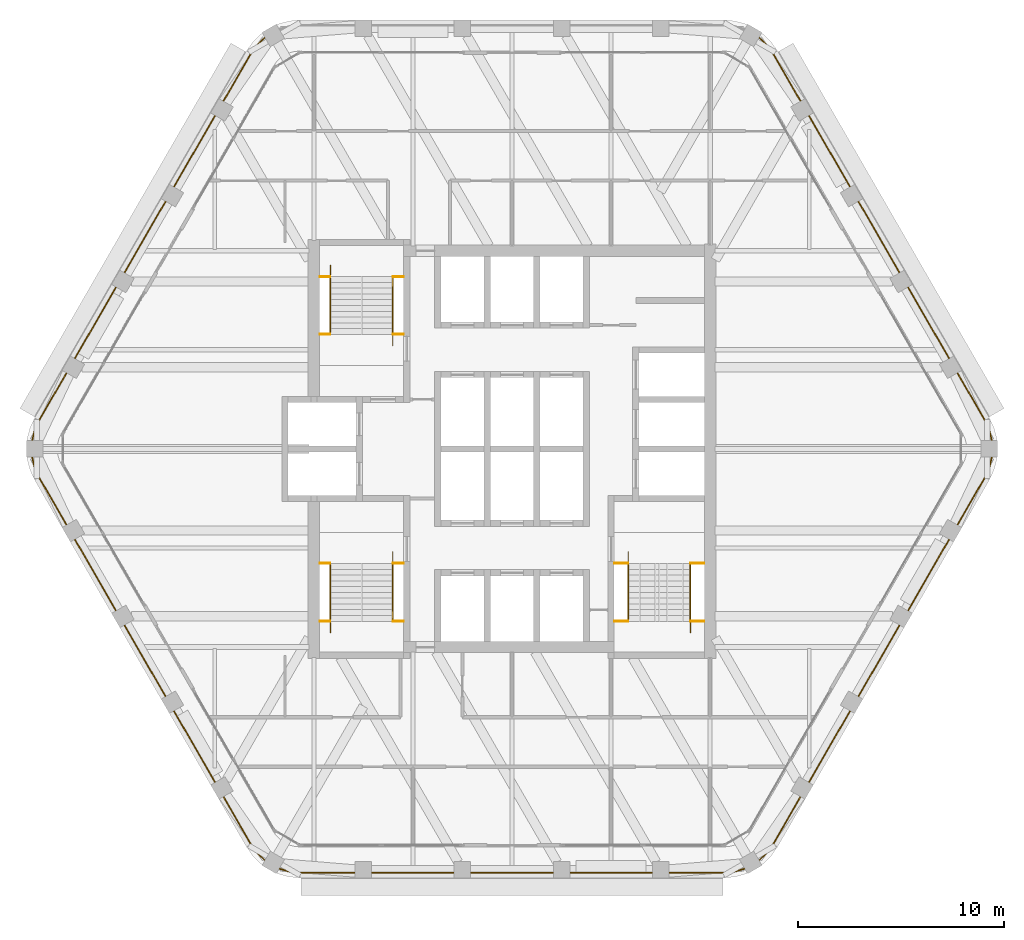
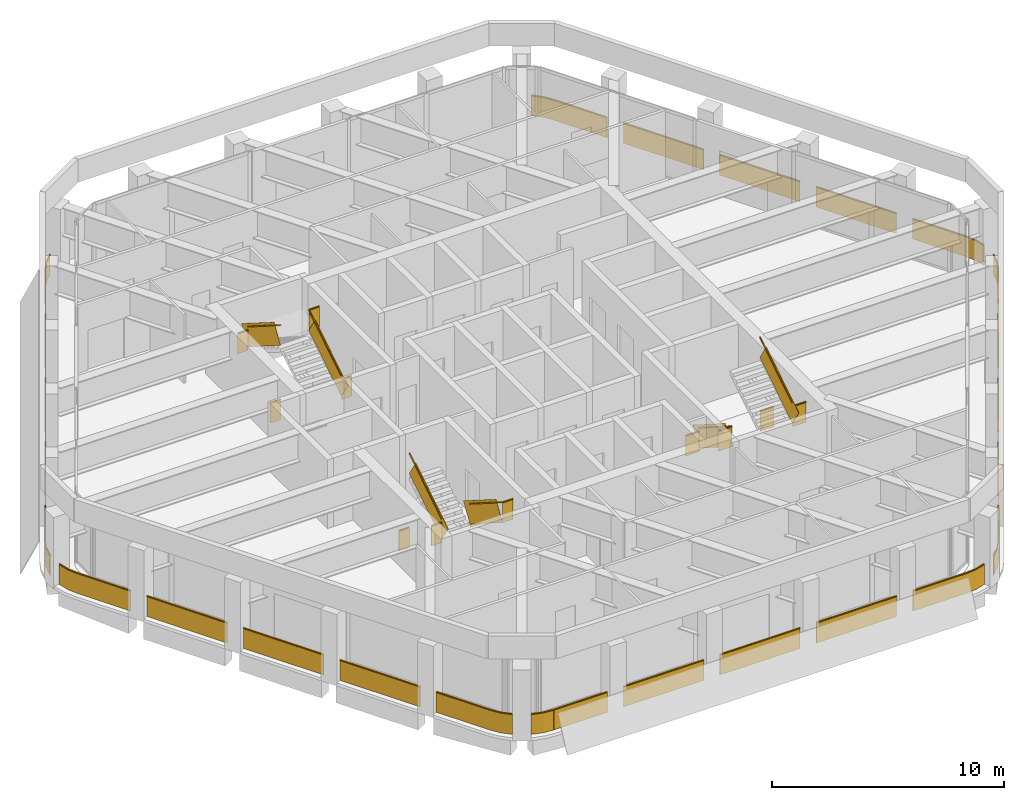
# One storey, part 13 of 14: 11 railings.
"""IFC4 building model written with IfcOpenShell, lengths in metres."""

from ifc_helpers import new_model, si_unit, direction, frame, frame_2d, origin, origin_2d, place, context, subcontext, project, spatial, rectangle, extrude, material, type_object, element, save


model = new_model("IFC4")

# Units and contexts
model_context = context("Model", 3, precision=1e-05, world=origin(), true_north=direction((0.0, 1.0)))
body_context = subcontext(model_context, "Body", "Model", "MODEL_VIEW")
ifc_project = project(units=[si_unit("LENGTHUNIT", "METRE"), si_unit("AREAUNIT", "SQUARE_METRE"), si_unit("VOLUMEUNIT", "CUBIC_METRE"), si_unit("PLANEANGLEUNIT", "RADIAN"), si_unit("MASSUNIT", "GRAM", prefix="KILO")], contexts=[model_context])

# Site, building, storey
site_placement = place(None, origin())
site = spatial("IfcSite", under=ifc_project, at=site_placement, CompositionType="ELEMENT")
building_placement = place(site_placement, origin())
building = spatial("IfcBuilding", under=site, at=building_placement, Name="Kolab Exchange Tower", CompositionType="ELEMENT")
storey_placement = place(building_placement, frame((0.0, 0.0, 293.0)))
storey = spatial("IfcBuildingStorey", under=building, at=storey_placement, Name="L66", CompositionType="ELEMENT", Elevation=293.0)

# Railings
ifc_material_1 = material(Name="Stainless steel 316", Category="steel")
railing_type_1 = type_object("IfcRailingType", Name="GUARD 1100", PredefinedType="GUARDRAIL", material=ifc_material_1)
railing_1_placement = place(storey_placement, frame((-9.324951171875, 5.550048828125, 0.0)))
element("IfcRailing", 1, at=railing_1_placement, inside=storey, type_object=railing_type_1, Name="Guard ST1", PredefinedType="GUARDRAIL", context=body_context, shape_type="SweptSolid", body=[
    extrude(rectangle(XDim=0.05, YDim=0.05, at=origin_2d()), frame((0.0, 0.0, 1.0751953125), z_axis=(1.0, 0.0, 0.0), x_axis=(0.0, 1.0, 0.0)), (0.0, 0.0, 1.0), 0.52734375),
    extrude(rectangle(XDim=0.012, YDim=1.05009765625, at=frame_2d((0.0, 0.525146484375))), frame((0.0, 0.0, 0.0), z_axis=(1.0, 0.0, 0.0), x_axis=(0.0, 1.0, 0.0)), (0.0, 0.0, 1.0), 0.52734375),
    extrude(rectangle(XDim=0.05, YDim=0.05, at=origin_2d()), frame((3.54736328125, 0.0, 1.0751953125), z_axis=(1.0, 0.0, 0.0), x_axis=(0.0, 1.0, 0.0)), (0.0, 0.0, 1.0), 0.527587890625),
    extrude(rectangle(XDim=0.012, YDim=1.05009765625, at=frame_2d((0.0, 0.525146484375))), frame((3.54736328125, 0.0, 0.0), z_axis=(1.0, 0.0, 0.0), x_axis=(0.0, 1.0, 0.0)), (0.0, 0.0, 1.0), 0.527587890625),
    extrude(rectangle(XDim=0.05, YDim=0.05, at=origin_2d()), frame((0.0, 2.800048828125, 3.025146484375), z_axis=(1.0, 0.0, 0.0), x_axis=(0.0, 1.0, 0.0)), (0.0, 0.0, 1.0), 0.52734375),
    extrude(rectangle(XDim=0.012, YDim=1.05009765625, at=frame_2d((0.0, 0.525146484375))), frame((0.0, 2.800048828125, 1.949951171875), z_axis=(1.0, 0.0, 0.0), x_axis=(0.0, 1.0, 0.0)), (0.0, 0.0, 1.0), 0.52734375),
    extrude(rectangle(XDim=0.05, YDim=0.05, at=origin_2d()), frame((3.54736328125, 2.800048828125, 3.025146484375), z_axis=(1.0, 0.0, 0.0), x_axis=(0.0, 1.0, 0.0)), (0.0, 0.0, 1.0), 0.527587890625),
    extrude(rectangle(XDim=0.012, YDim=1.05009765625, at=frame_2d((0.0, 0.525146484375))), frame((3.54736328125, 2.800048828125, 1.949951171875), z_axis=(1.0, 0.0, 0.0), x_axis=(0.0, 1.0, 0.0)), (0.0, 0.0, 1.0), 0.527587890625),
])
railing_2_placement = place(storey_placement, frame((-5.777587890625, 5.550048828125, 0.17724609375)))
element("IfcRailing", 2, at=railing_2_placement, inside=storey, type_object=railing_type_1, Name="Handrail guard ST1", PredefinedType="GUARDRAIL", context=body_context, shape_type="SweptSolid", body=[
    extrude(rectangle(XDim=0.05, YDim=0.05, at=origin_2d()), frame((0.0, 0.0, 1.0751953125), z_axis=(0.0, 0.844908973607, 0.534910110503), x_axis=(-1.0, 0.0, 0.0)), (0.0, 0.0, 1.0), 3.31396484375),
    extrude(rectangle(XDim=0.012, YDim=1.05009765625, at=frame_2d((0.0, 0.525146484375))), frame((0.0, 0.0, 0.0), z_axis=(0.0, 0.844908973607, 0.534910110503), x_axis=(-1.0, 0.0, 0.0)), (0.0, 0.0, 1.0), 3.31396484375),
    extrude(rectangle(XDim=0.05, YDim=0.05, at=origin_2d()), frame((-3.02001953125, 2.800048828125, 3.025146484375), z_axis=(0.0, -0.844908973607, 0.534910110503), x_axis=(1.0, 0.0, 0.0)), (0.0, 0.0, 1.0), 3.31396484375),
    extrude(rectangle(XDim=0.012, YDim=1.05009765625, at=frame_2d((0.0, 0.525146484375))), frame((-3.02001953125, 2.800048828125, 1.949951171875), z_axis=(0.0, -0.844908973607, 0.534910110503), x_axis=(1.0, 0.0, 0.0)), (0.0, 0.0, 1.0), 3.31396484375),
])
railing_3_placement = place(storey_placement, frame((-9.324951171875, -5.550048828125, 0.0)))
element("IfcRailing", 3, at=railing_3_placement, inside=storey, type_object=railing_type_1, Name="Guard ST3", PredefinedType="GUARDRAIL", context=body_context, shape_type="SweptSolid", body=[
    extrude(rectangle(XDim=0.05, YDim=0.05, at=origin_2d()), frame((0.0, 0.0, 1.0751953125), z_axis=(1.0, 0.0, 0.0), x_axis=(0.0, 1.0, 0.0)), (0.0, 0.0, 1.0), 0.52734375),
    extrude(rectangle(XDim=0.012, YDim=1.05009765625, at=frame_2d((0.0, 0.525146484375))), frame((0.0, 0.0, 0.0), z_axis=(1.0, 0.0, 0.0), x_axis=(0.0, 1.0, 0.0)), (0.0, 0.0, 1.0), 0.52734375),
    extrude(rectangle(XDim=0.05, YDim=0.05, at=origin_2d()), frame((3.54736328125, 0.0, 1.0751953125), z_axis=(1.0, 0.0, 0.0), x_axis=(0.0, 1.0, 0.0)), (0.0, 0.0, 1.0), 0.527587890625),
    extrude(rectangle(XDim=0.012, YDim=1.05009765625, at=frame_2d((0.0, 0.525146484375))), frame((3.54736328125, 0.0, 0.0), z_axis=(1.0, 0.0, 0.0), x_axis=(0.0, 1.0, 0.0)), (0.0, 0.0, 1.0), 0.527587890625),
    extrude(rectangle(XDim=0.05, YDim=0.05, at=origin_2d()), frame((0.0, -2.800048828125, 3.025146484375), z_axis=(1.0, 0.0, 0.0), x_axis=(0.0, 1.0, 0.0)), (0.0, 0.0, 1.0), 0.52734375),
    extrude(rectangle(XDim=0.012, YDim=1.05009765625, at=frame_2d((0.0, 0.525146484375))), frame((0.0, -2.800048828125, 1.949951171875), z_axis=(1.0, 0.0, 0.0), x_axis=(0.0, 1.0, 0.0)), (0.0, 0.0, 1.0), 0.52734375),
    extrude(rectangle(XDim=0.05, YDim=0.05, at=origin_2d()), frame((3.54736328125, -2.800048828125, 3.025146484375), z_axis=(1.0, 0.0, 0.0), x_axis=(0.0, 1.0, 0.0)), (0.0, 0.0, 1.0), 0.527587890625),
    extrude(rectangle(XDim=0.012, YDim=1.05009765625, at=frame_2d((0.0, 0.525146484375))), frame((3.54736328125, -2.800048828125, 1.949951171875), z_axis=(1.0, 0.0, 0.0), x_axis=(0.0, 1.0, 0.0)), (0.0, 0.0, 1.0), 0.527587890625),
])
railing_4_placement = place(storey_placement, frame((-5.777587890625, -5.550048828125, 0.17724609375)))
element("IfcRailing", 4, at=railing_4_placement, inside=storey, type_object=railing_type_1, Name="Handrail guard ST3", PredefinedType="GUARDRAIL", context=body_context, shape_type="SweptSolid", body=[
    extrude(rectangle(XDim=0.05, YDim=0.05, at=origin_2d()), frame((0.0, 0.0, 1.0751953125), z_axis=(0.0, -0.844908973607, 0.534910110503), x_axis=(1.0, 0.0, 0.0)), (0.0, 0.0, 1.0), 3.31396484375),
    extrude(rectangle(XDim=0.012, YDim=1.05009765625, at=frame_2d((0.0, 0.525146484375))), frame((0.0, 0.0, 0.0), z_axis=(0.0, -0.844908973607, 0.534910110503), x_axis=(1.0, 0.0, 0.0)), (0.0, 0.0, 1.0), 3.31396484375),
    extrude(rectangle(XDim=0.05, YDim=0.05, at=origin_2d()), frame((-3.02001953125, -2.800048828125, 3.025146484375), z_axis=(0.0, 0.844908973607, 0.534910110503), x_axis=(-1.0, 0.0, 0.0)), (0.0, 0.0, 1.0), 3.31396484375),
    extrude(rectangle(XDim=0.012, YDim=1.05009765625, at=frame_2d((0.0, 0.525146484375))), frame((-3.02001953125, -2.800048828125, 1.949951171875), z_axis=(0.0, 0.844908973607, 0.534910110503), x_axis=(-1.0, 0.0, 0.0)), (0.0, 0.0, 1.0), 3.31396484375),
])
railing_5_placement = place(storey_placement, frame((4.949951171875, -5.550048828125, 0.0)))
element("IfcRailing", 5, at=railing_5_placement, inside=storey, type_object=railing_type_1, Name="Guard ST2", PredefinedType="GUARDRAIL", context=body_context, shape_type="SweptSolid", body=[
    extrude(rectangle(XDim=0.05, YDim=0.05, at=origin_2d()), frame((0.0, 0.0, 1.0751953125), z_axis=(1.0, 0.0, 0.0), x_axis=(0.0, 1.0, 0.0)), (0.0, 0.0, 1.0), 0.677490234375),
    extrude(rectangle(XDim=0.012, YDim=1.05009765625, at=frame_2d((0.0, 0.525146484375))), frame((0.0, 0.0, 0.0), z_axis=(1.0, 0.0, 0.0), x_axis=(0.0, 1.0, 0.0)), (0.0, 0.0, 1.0), 0.677490234375),
    extrude(rectangle(XDim=0.05, YDim=0.05, at=origin_2d()), frame((3.697509765625, 0.0, 1.0751953125), z_axis=(1.0, 0.0, 0.0), x_axis=(0.0, 1.0, 0.0)), (0.0, 0.0, 1.0), 0.677490234375),
    extrude(rectangle(XDim=0.012, YDim=1.05009765625, at=frame_2d((0.0, 0.525146484375))), frame((3.697509765625, 0.0, 0.0), z_axis=(1.0, 0.0, 0.0), x_axis=(0.0, 1.0, 0.0)), (0.0, 0.0, 1.0), 0.677490234375),
    extrude(rectangle(XDim=0.05, YDim=0.05, at=origin_2d()), frame((0.0, -2.800048828125, 3.025146484375), z_axis=(1.0, 0.0, 0.0), x_axis=(0.0, 1.0, 0.0)), (0.0, 0.0, 1.0), 0.677490234375),
    extrude(rectangle(XDim=0.012, YDim=1.05009765625, at=frame_2d((0.0, 0.525146484375))), frame((0.0, -2.800048828125, 1.949951171875), z_axis=(1.0, 0.0, 0.0), x_axis=(0.0, 1.0, 0.0)), (0.0, 0.0, 1.0), 0.677490234375),
    extrude(rectangle(XDim=0.05, YDim=0.05, at=origin_2d()), frame((3.697509765625, -2.800048828125, 3.025146484375), z_axis=(1.0, 0.0, 0.0), x_axis=(0.0, 1.0, 0.0)), (0.0, 0.0, 1.0), 0.677490234375),
    extrude(rectangle(XDim=0.012, YDim=1.05009765625, at=frame_2d((0.0, 0.525146484375))), frame((3.697509765625, -2.800048828125, 1.949951171875), z_axis=(1.0, 0.0, 0.0), x_axis=(0.0, 1.0, 0.0)), (0.0, 0.0, 1.0), 0.677490234375),
])
railing_6_placement = place(storey_placement, frame((5.62744140625, -5.550048828125, 0.17724609375)))
element("IfcRailing", 6, at=railing_6_placement, inside=storey, type_object=railing_type_1, Name="Handrail guard ST2", PredefinedType="GUARDRAIL", context=body_context, shape_type="SweptSolid", body=[
    extrude(rectangle(XDim=0.05, YDim=0.05, at=origin_2d()), frame((0.0, 0.0, 1.0751953125), z_axis=(0.0, -0.844908973607, 0.534910110503), x_axis=(1.0, 0.0, 0.0)), (0.0, 0.0, 1.0), 3.31396484375),
    extrude(rectangle(XDim=0.012, YDim=1.05009765625, at=frame_2d((0.0, 0.525146484375))), frame((0.0, 0.0, 0.0), z_axis=(0.0, -0.844908973607, 0.534910110503), x_axis=(1.0, 0.0, 0.0)), (0.0, 0.0, 1.0), 3.31396484375),
    extrude(rectangle(XDim=0.05, YDim=0.05, at=origin_2d()), frame((3.02001953125, -2.800048828125, 3.025146484375), z_axis=(0.0, 0.844908973607, 0.534910110503), x_axis=(-1.0, 0.0, 0.0)), (0.0, 0.0, 1.0), 3.31396484375),
    extrude(rectangle(XDim=0.012, YDim=1.05009765625, at=frame_2d((0.0, 0.525146484375))), frame((3.02001953125, -2.800048828125, 1.949951171875), z_axis=(0.0, 0.844908973607, 0.534910110503), x_axis=(-1.0, 0.0, 0.0)), (0.0, 0.0, 1.0), 3.31396484375),
])
ifc_material_2 = material(Name="Steel S235", Category="steel")
railing_type_2 = type_object("IfcRailingType", Name="GUARD 1100 GLASS BALUSTRADE AND STEEL TOP RAIL", PredefinedType="GUARDRAIL", material=ifc_material_2)
railing_7_placement = place(storey_placement, frame((23.2509765625, 0.3984375, 0.0)))
element("IfcRailing", 7, at=railing_7_placement, inside=storey, type_object=railing_type_2, Name="Guard", PredefinedType="GUARDRAIL", context=body_context, shape_type="SweptSolid", body=[
    extrude(rectangle(XDim=0.05, YDim=0.05, at=origin_2d()), frame((0.0, 0.0, 1.0751953125), z_axis=(-0.234597748196, 0.972092534968, 0.0), x_axis=(-0.972092534968, -0.234597748196, 0.0)), (0.0, 0.0, 1.0), 0.557861328125),
    extrude(rectangle(XDim=0.012, YDim=1.05009765625, at=frame_2d((0.0, 0.525146484375))), frame((0.0, 0.0, 0.0), z_axis=(-0.234597748196, 0.972092534968, 0.0), x_axis=(-0.972092534968, -0.234597748196, 0.0)), (0.0, 0.0, 1.0), 0.557861328125),
    extrude(rectangle(XDim=0.05, YDim=0.05, at=origin_2d()), frame((-0.130859375, 0.542236328125, 1.0751953125), z_axis=(-0.422801802984, 0.906222177721, 0.0), x_axis=(-0.906222177721, -0.422801802984, 0.0)), (0.0, 0.0, 1.0), 0.479248046875),
    extrude(rectangle(XDim=0.012, YDim=1.05009765625, at=frame_2d((0.0, 0.525146484375))), frame((-0.130859375, 0.542236328125, 0.0), z_axis=(-0.422801802984, 0.906222177721, 0.0), x_axis=(-0.906222177721, -0.422801802984, 0.0)), (0.0, 0.0, 1.0), 0.479248046875),
    extrude(rectangle(XDim=0.05, YDim=0.05, at=origin_2d()), frame((-0.33349609375, 0.9765625, 1.0751953125), z_axis=(-0.499997052475, 0.866027105532, 0.0), x_axis=(-0.866027105532, -0.499997052475, 0.0)), (0.0, 0.0, 1.0), 2.66796875),
    extrude(rectangle(XDim=0.012, YDim=1.05009765625, at=frame_2d((0.0, 0.525146484375))), frame((-0.33349609375, 0.9765625, 0.0), z_axis=(-0.499997052475, 0.866027105532, 0.0), x_axis=(-0.866027105532, -0.499997052475, 0.0)), (0.0, 0.0, 1.0), 2.66796875),
    extrude(rectangle(XDim=0.05, YDim=0.05, at=origin_2d()), frame((-2.0673828125, 3.97998046875, 1.0751953125), z_axis=(-0.49999894854, 0.866026010844, 0.0), x_axis=(-0.866026010844, -0.49999894854, 0.0)), (0.0, 0.0, 1.0), 4.0),
    extrude(rectangle(XDim=0.012, YDim=1.05009765625, at=frame_2d((0.0, 0.525146484375))), frame((-2.0673828125, 3.97998046875, 0.0), z_axis=(-0.49999894854, 0.866026010844, 0.0), x_axis=(-0.866026010844, -0.49999894854, 0.0)), (0.0, 0.0, 1.0), 4.0),
    extrude(rectangle(XDim=0.05, YDim=0.05, at=origin_2d()), frame((-4.467529296875, 8.13671875, 1.0751953125), z_axis=(-0.49999894854, 0.866026010844, 0.0), x_axis=(-0.866026010844, -0.49999894854, 0.0)), (0.0, 0.0, 1.0), 4.0),
    extrude(rectangle(XDim=0.012, YDim=1.05009765625, at=frame_2d((0.0, 0.525146484375))), frame((-4.467529296875, 8.13671875, 0.0), z_axis=(-0.49999894854, 0.866026010844, 0.0), x_axis=(-0.866026010844, -0.49999894854, 0.0)), (0.0, 0.0, 1.0), 4.0),
    extrude(rectangle(XDim=0.05, YDim=0.05, at=origin_2d()), frame((-6.867431640625, 12.293701171875, 1.0751953125), z_axis=(-0.49999894854, 0.866026010844, 0.0), x_axis=(-0.866026010844, -0.49999894854, 0.0)), (0.0, 0.0, 1.0), 4.0),
    extrude(rectangle(XDim=0.012, YDim=1.05009765625, at=frame_2d((0.0, 0.525146484375))), frame((-6.867431640625, 12.293701171875, 0.0), z_axis=(-0.49999894854, 0.866026010844, 0.0), x_axis=(-0.866026010844, -0.49999894854, 0.0)), (0.0, 0.0, 1.0), 4.0),
    extrude(rectangle(XDim=0.05, YDim=0.05, at=origin_2d()), frame((-9.267578125, 16.45068359375, 1.0751953125), z_axis=(-0.499997052475, 0.866027105532, 0.0), x_axis=(-0.866027105532, -0.499997052475, 0.0)), (0.0, 0.0, 1.0), 2.66796875),
    extrude(rectangle(XDim=0.012, YDim=1.05009765625, at=frame_2d((0.0, 0.525146484375))), frame((-9.267578125, 16.45068359375, 0.0), z_axis=(-0.499997052475, 0.866027105532, 0.0), x_axis=(-0.866027105532, -0.499997052475, 0.0)), (0.0, 0.0, 1.0), 2.66796875),
    extrude(rectangle(XDim=0.05, YDim=0.05, at=origin_2d()), frame((-10.6015625, 18.76123046875, 1.0751953125), z_axis=(-0.573599091554, 0.819136180478, 0.0), x_axis=(-0.819136180478, -0.573599091554, 0.0)), (0.0, 0.0, 1.0), 0.479248046875),
    extrude(rectangle(XDim=0.012, YDim=1.05009765625, at=frame_2d((0.0, 0.525146484375))), frame((-10.6015625, 18.76123046875, 0.0), z_axis=(-0.573599091554, 0.819136180478, 0.0), x_axis=(-0.819136180478, -0.573599091554, 0.0)), (0.0, 0.0, 1.0), 0.479248046875),
    extrude(rectangle(XDim=0.05, YDim=0.05, at=origin_2d()), frame((-10.87646484375, 19.15380859375, 1.0751953125), z_axis=(-0.724189990991, 0.689600505327, 0.0), x_axis=(-0.689600505327, -0.724189990991, 0.0)), (0.0, 0.0, 1.0), 0.5576171875),
    extrude(rectangle(XDim=0.012, YDim=1.05009765625, at=frame_2d((0.0, 0.525146484375))), frame((-10.87646484375, 19.15380859375, 0.0), z_axis=(-0.724189990991, 0.689600505327, 0.0), x_axis=(-0.689600505327, -0.724189990991, 0.0)), (0.0, 0.0, 1.0), 0.5576171875),
])
railing_8_placement = place(storey_placement, frame((11.970703125, -19.936767578125, 0.0)))
element("IfcRailing", 8, at=railing_8_placement, inside=storey, type_object=railing_type_2, Name="Guard", PredefinedType="GUARDRAIL", context=body_context, shape_type="SweptSolid", body=[
    extrude(rectangle(XDim=0.05, YDim=0.05, at=origin_2d()), frame((0.0, 0.0, 1.0751953125), z_axis=(0.724189990991, 0.689600505327, 0.0), x_axis=(-0.689600505327, 0.724189990991, 0.0)), (0.0, 0.0, 1.0), 0.5576171875),
    extrude(rectangle(XDim=0.012, YDim=1.05009765625, at=frame_2d((0.0, 0.525146484375))), frame((0.0, 0.0, 0.0), z_axis=(0.724189990991, 0.689600505327, 0.0), x_axis=(-0.689600505327, 0.724189990991, 0.0)), (0.0, 0.0, 1.0), 0.5576171875),
    extrude(rectangle(XDim=0.05, YDim=0.05, at=origin_2d()), frame((0.40380859375, 0.384521484375, 1.0751953125), z_axis=(0.573599091554, 0.819136180478, 0.0), x_axis=(-0.819136180478, 0.573599091554, 0.0)), (0.0, 0.0, 1.0), 0.479248046875),
    extrude(rectangle(XDim=0.012, YDim=1.05009765625, at=frame_2d((0.0, 0.525146484375))), frame((0.40380859375, 0.384521484375, 0.0), z_axis=(0.573599091554, 0.819136180478, 0.0), x_axis=(-0.819136180478, 0.573599091554, 0.0)), (0.0, 0.0, 1.0), 0.479248046875),
    extrude(rectangle(XDim=0.05, YDim=0.05, at=origin_2d()), frame((0.6787109375, 0.777099609375, 1.0751953125), z_axis=(0.499997052475, 0.866027105532, 0.0), x_axis=(-0.866027105532, 0.499997052475, 0.0)), (0.0, 0.0, 1.0), 2.66796875),
    extrude(rectangle(XDim=0.012, YDim=1.05009765625, at=frame_2d((0.0, 0.525146484375))), frame((0.6787109375, 0.777099609375, 0.0), z_axis=(0.499997052475, 0.866027105532, 0.0), x_axis=(-0.866027105532, 0.499997052475, 0.0)), (0.0, 0.0, 1.0), 2.66796875),
    extrude(rectangle(XDim=0.05, YDim=0.05, at=origin_2d()), frame((2.412841796875, 3.780517578125, 1.0751953125), z_axis=(0.49999894854, 0.866026010844, 0.0), x_axis=(-0.866026010844, 0.49999894854, 0.0)), (0.0, 0.0, 1.0), 4.0),
    extrude(rectangle(XDim=0.012, YDim=1.05009765625, at=frame_2d((0.0, 0.525146484375))), frame((2.412841796875, 3.780517578125, 0.0), z_axis=(0.49999894854, 0.866026010844, 0.0), x_axis=(-0.866026010844, 0.49999894854, 0.0)), (0.0, 0.0, 1.0), 4.0),
    extrude(rectangle(XDim=0.05, YDim=0.05, at=origin_2d()), frame((4.812744140625, 7.9375, 1.0751953125), z_axis=(0.49999894854, 0.866026010844, 0.0), x_axis=(-0.866026010844, 0.49999894854, 0.0)), (0.0, 0.0, 1.0), 4.0),
    extrude(rectangle(XDim=0.012, YDim=1.05009765625, at=frame_2d((0.0, 0.525146484375))), frame((4.812744140625, 7.9375, 0.0), z_axis=(0.49999894854, 0.866026010844, 0.0), x_axis=(-0.866026010844, 0.49999894854, 0.0)), (0.0, 0.0, 1.0), 4.0),
    extrude(rectangle(XDim=0.05, YDim=0.05, at=origin_2d()), frame((7.212890625, 12.09423828125, 1.0751953125), z_axis=(0.49999894854, 0.866026010844, 0.0), x_axis=(-0.866026010844, 0.49999894854, 0.0)), (0.0, 0.0, 1.0), 4.0),
    extrude(rectangle(XDim=0.012, YDim=1.05009765625, at=frame_2d((0.0, 0.525146484375))), frame((7.212890625, 12.09423828125, 0.0), z_axis=(0.49999894854, 0.866026010844, 0.0), x_axis=(-0.866026010844, 0.49999894854, 0.0)), (0.0, 0.0, 1.0), 4.0),
    extrude(rectangle(XDim=0.05, YDim=0.05, at=origin_2d()), frame((9.61279296875, 16.251220703125, 1.0751953125), z_axis=(0.499997052475, 0.866027105532, 0.0), x_axis=(-0.866027105532, 0.499997052475, 0.0)), (0.0, 0.0, 1.0), 2.66796875),
    extrude(rectangle(XDim=0.012, YDim=1.05009765625, at=frame_2d((0.0, 0.525146484375))), frame((9.61279296875, 16.251220703125, 0.0), z_axis=(0.499997052475, 0.866027105532, 0.0), x_axis=(-0.866027105532, 0.499997052475, 0.0)), (0.0, 0.0, 1.0), 2.66796875),
    extrude(rectangle(XDim=0.05, YDim=0.05, at=origin_2d()), frame((10.94677734375, 18.561767578125, 1.0751953125), z_axis=(0.422801802984, 0.906222177721, 0.0), x_axis=(-0.906222177721, 0.422801802984, 0.0)), (0.0, 0.0, 1.0), 0.479248046875),
    extrude(rectangle(XDim=0.012, YDim=1.05009765625, at=frame_2d((0.0, 0.525146484375))), frame((10.94677734375, 18.561767578125, 0.0), z_axis=(0.422801802984, 0.906222177721, 0.0), x_axis=(-0.906222177721, 0.422801802984, 0.0)), (0.0, 0.0, 1.0), 0.479248046875),
    extrude(rectangle(XDim=0.05, YDim=0.05, at=origin_2d()), frame((11.1494140625, 18.99609375, 1.0751953125), z_axis=(0.234597748196, 0.972092534968, 0.0), x_axis=(-0.972092534968, 0.234597748196, 0.0)), (0.0, 0.0, 1.0), 0.557861328125),
    extrude(rectangle(XDim=0.012, YDim=1.05009765625, at=frame_2d((0.0, 0.525146484375))), frame((11.1494140625, 18.99609375, 0.0), z_axis=(0.234597748196, 0.972092534968, 0.0), x_axis=(-0.972092534968, 0.234597748196, 0.0)), (0.0, 0.0, 1.0), 0.557861328125),
])
railing_9_placement = place(storey_placement, frame((-11.280517578125, -20.335205078125, 0.0)))
element("IfcRailing", 9, at=railing_9_placement, inside=storey, type_object=railing_type_2, Name="Guard", PredefinedType="GUARDRAIL", context=body_context, shape_type="SweptSolid", body=[
    extrude(rectangle(XDim=0.05, YDim=0.05, at=origin_2d()), frame((0.0, 0.0, 1.0751953125), z_axis=(0.959212061764, -0.282687496304, 0.0), x_axis=(0.282687496304, 0.959212061764, 0.0)), (0.0, 0.0, 1.0), 0.557861328125),
    extrude(rectangle(XDim=0.012, YDim=1.05009765625, at=frame_2d((0.0, 0.525146484375))), frame((0.0, 0.0, 0.0), z_axis=(0.959212061764, -0.282687496304, 0.0), x_axis=(0.282687496304, 0.959212061764, 0.0)), (0.0, 0.0, 1.0), 0.557861328125),
    extrude(rectangle(XDim=0.05, YDim=0.05, at=origin_2d()), frame((0.53515625, -0.15771484375, 1.0751953125), z_axis=(0.996196482496, -0.087135344505, 0.0), x_axis=(0.087135344505, 0.996196482496, 0.0)), (0.0, 0.0, 1.0), 0.47900390625),
    extrude(rectangle(XDim=0.012, YDim=1.05009765625, at=frame_2d((0.0, 0.525146484375))), frame((0.53515625, -0.15771484375, 0.0), z_axis=(0.996196482496, -0.087135344505, 0.0), x_axis=(0.087135344505, 0.996196482496, 0.0)), (0.0, 0.0, 1.0), 0.47900390625),
    extrude(rectangle(XDim=0.05, YDim=0.05, at=origin_2d()), frame((1.012451171875, -0.199462890625, 1.0751953125), z_axis=(1.0, 0.0, 0.0), x_axis=(0.0, 1.0, 0.0)), (0.0, 0.0, 1.0), 2.66796875),
    extrude(rectangle(XDim=0.012, YDim=1.05009765625, at=frame_2d((0.0, 0.525146484375))), frame((1.012451171875, -0.199462890625, 0.0), z_axis=(1.0, 0.0, 0.0), x_axis=(0.0, 1.0, 0.0)), (0.0, 0.0, 1.0), 2.66796875),
    extrude(rectangle(XDim=0.05, YDim=0.05, at=origin_2d()), frame((4.48046875, -0.199462890625, 1.0751953125), z_axis=(1.0, 0.0, 0.0), x_axis=(0.0, 1.0, 0.0)), (0.0, 0.0, 1.0), 4.0),
    extrude(rectangle(XDim=0.012, YDim=1.05009765625, at=frame_2d((0.0, 0.525146484375))), frame((4.48046875, -0.199462890625, 0.0), z_axis=(1.0, 0.0, 0.0), x_axis=(0.0, 1.0, 0.0)), (0.0, 0.0, 1.0), 4.0),
    extrude(rectangle(XDim=0.05, YDim=0.05, at=origin_2d()), frame((9.280517578125, -0.199462890625, 1.0751953125), z_axis=(1.0, 0.0, 0.0), x_axis=(0.0, 1.0, 0.0)), (0.0, 0.0, 1.0), 4.0),
    extrude(rectangle(XDim=0.012, YDim=1.05009765625, at=frame_2d((0.0, 0.525146484375))), frame((9.280517578125, -0.199462890625, 0.0), z_axis=(1.0, 0.0, 0.0), x_axis=(0.0, 1.0, 0.0)), (0.0, 0.0, 1.0), 4.0),
    extrude(rectangle(XDim=0.05, YDim=0.05, at=origin_2d()), frame((14.08056640625, -0.199462890625, 1.0751953125), z_axis=(1.0, 0.0, 0.0), x_axis=(0.0, 1.0, 0.0)), (0.0, 0.0, 1.0), 4.0),
    extrude(rectangle(XDim=0.012, YDim=1.05009765625, at=frame_2d((0.0, 0.525146484375))), frame((14.08056640625, -0.199462890625, 0.0), z_axis=(1.0, 0.0, 0.0), x_axis=(0.0, 1.0, 0.0)), (0.0, 0.0, 1.0), 4.0),
    extrude(rectangle(XDim=0.05, YDim=0.05, at=origin_2d()), frame((18.880615234375, -0.199462890625, 1.0751953125), z_axis=(1.0, 0.0, 0.0), x_axis=(0.0, 1.0, 0.0)), (0.0, 0.0, 1.0), 2.66796875),
    extrude(rectangle(XDim=0.012, YDim=1.05009765625, at=frame_2d((0.0, 0.525146484375))), frame((18.880615234375, -0.199462890625, 0.0), z_axis=(1.0, 0.0, 0.0), x_axis=(0.0, 1.0, 0.0)), (0.0, 0.0, 1.0), 2.66796875),
    extrude(rectangle(XDim=0.05, YDim=0.05, at=origin_2d()), frame((21.548583984375, -0.199462890625, 1.0751953125), z_axis=(0.996196482496, 0.087135344505, 0.0), x_axis=(-0.087135344505, 0.996196482496, 0.0)), (0.0, 0.0, 1.0), 0.47900390625),
    extrude(rectangle(XDim=0.012, YDim=1.05009765625, at=frame_2d((0.0, 0.525146484375))), frame((21.548583984375, -0.199462890625, 0.0), z_axis=(0.996196482496, 0.087135344505, 0.0), x_axis=(-0.087135344505, 0.996196482496, 0.0)), (0.0, 0.0, 1.0), 0.47900390625),
    extrude(rectangle(XDim=0.05, YDim=0.05, at=origin_2d()), frame((22.02587890625, -0.15771484375, 1.0751953125), z_axis=(0.959212061764, 0.282687496304, 0.0), x_axis=(-0.282687496304, 0.959212061764, 0.0)), (0.0, 0.0, 1.0), 0.557861328125),
    extrude(rectangle(XDim=0.012, YDim=1.05009765625, at=frame_2d((0.0, 0.525146484375))), frame((22.02587890625, -0.15771484375, 0.0), z_axis=(0.959212061764, 0.282687496304, 0.0), x_axis=(-0.282687496304, 0.959212061764, 0.0)), (0.0, 0.0, 1.0), 0.557861328125),
])
railing_10_placement = place(storey_placement, frame((-23.2509765625, -0.3984375, 0.0)))
element("IfcRailing", 10, at=railing_10_placement, inside=storey, type_object=railing_type_2, Name="Guard", PredefinedType="GUARDRAIL", context=body_context, shape_type="SweptSolid", body=[
    extrude(rectangle(XDim=0.05, YDim=0.05, at=origin_2d()), frame((0.0, 0.0, 1.0751953125), z_axis=(0.234597748196, -0.972092534968, 0.0), x_axis=(0.972092534968, 0.234597748196, 0.0)), (0.0, 0.0, 1.0), 0.557861328125),
    extrude(rectangle(XDim=0.012, YDim=1.05009765625, at=frame_2d((0.0, 0.525146484375))), frame((0.0, 0.0, 0.0), z_axis=(0.234597748196, -0.972092534968, 0.0), x_axis=(0.972092534968, 0.234597748196, 0.0)), (0.0, 0.0, 1.0), 0.557861328125),
    extrude(rectangle(XDim=0.05, YDim=0.05, at=origin_2d()), frame((0.130859375, -0.542236328125, 1.0751953125), z_axis=(0.422801802984, -0.906222177721, 0.0), x_axis=(0.906222177721, 0.422801802984, 0.0)), (0.0, 0.0, 1.0), 0.479248046875),
    extrude(rectangle(XDim=0.012, YDim=1.05009765625, at=frame_2d((0.0, 0.525146484375))), frame((0.130859375, -0.542236328125, 0.0), z_axis=(0.422801802984, -0.906222177721, 0.0), x_axis=(0.906222177721, 0.422801802984, 0.0)), (0.0, 0.0, 1.0), 0.479248046875),
    extrude(rectangle(XDim=0.05, YDim=0.05, at=origin_2d()), frame((0.33349609375, -0.9765625, 1.0751953125), z_axis=(0.499997052475, -0.866027105532, 0.0), x_axis=(0.866027105532, 0.499997052475, 0.0)), (0.0, 0.0, 1.0), 2.66796875),
    extrude(rectangle(XDim=0.012, YDim=1.05009765625, at=frame_2d((0.0, 0.525146484375))), frame((0.33349609375, -0.9765625, 0.0), z_axis=(0.499997052475, -0.866027105532, 0.0), x_axis=(0.866027105532, 0.499997052475, 0.0)), (0.0, 0.0, 1.0), 2.66796875),
    extrude(rectangle(XDim=0.05, YDim=0.05, at=origin_2d()), frame((2.0673828125, -3.97998046875, 1.0751953125), z_axis=(0.49999894854, -0.866026010844, 0.0), x_axis=(0.866026010844, 0.49999894854, 0.0)), (0.0, 0.0, 1.0), 4.0),
    extrude(rectangle(XDim=0.012, YDim=1.05009765625, at=frame_2d((0.0, 0.525146484375))), frame((2.0673828125, -3.97998046875, 0.0), z_axis=(0.49999894854, -0.866026010844, 0.0), x_axis=(0.866026010844, 0.49999894854, 0.0)), (0.0, 0.0, 1.0), 4.0),
    extrude(rectangle(XDim=0.05, YDim=0.05, at=origin_2d()), frame((4.467529296875, -8.13671875, 1.0751953125), z_axis=(0.49999894854, -0.866026010844, 0.0), x_axis=(0.866026010844, 0.49999894854, 0.0)), (0.0, 0.0, 1.0), 4.0),
    extrude(rectangle(XDim=0.012, YDim=1.05009765625, at=frame_2d((0.0, 0.525146484375))), frame((4.467529296875, -8.13671875, 0.0), z_axis=(0.49999894854, -0.866026010844, 0.0), x_axis=(0.866026010844, 0.49999894854, 0.0)), (0.0, 0.0, 1.0), 4.0),
    extrude(rectangle(XDim=0.05, YDim=0.05, at=origin_2d()), frame((6.867431640625, -12.293701171875, 1.0751953125), z_axis=(0.49999894854, -0.866026010844, 0.0), x_axis=(0.866026010844, 0.49999894854, 0.0)), (0.0, 0.0, 1.0), 4.0),
    extrude(rectangle(XDim=0.012, YDim=1.05009765625, at=frame_2d((0.0, 0.525146484375))), frame((6.867431640625, -12.293701171875, 0.0), z_axis=(0.49999894854, -0.866026010844, 0.0), x_axis=(0.866026010844, 0.49999894854, 0.0)), (0.0, 0.0, 1.0), 4.0),
    extrude(rectangle(XDim=0.05, YDim=0.05, at=origin_2d()), frame((9.267578125, -16.45068359375, 1.0751953125), z_axis=(0.499997052475, -0.866027105532, 0.0), x_axis=(0.866027105532, 0.499997052475, 0.0)), (0.0, 0.0, 1.0), 2.66796875),
    extrude(rectangle(XDim=0.012, YDim=1.05009765625, at=frame_2d((0.0, 0.525146484375))), frame((9.267578125, -16.45068359375, 0.0), z_axis=(0.499997052475, -0.866027105532, 0.0), x_axis=(0.866027105532, 0.499997052475, 0.0)), (0.0, 0.0, 1.0), 2.66796875),
    extrude(rectangle(XDim=0.05, YDim=0.05, at=origin_2d()), frame((10.6015625, -18.76123046875, 1.0751953125), z_axis=(0.573599091554, -0.819136180478, 0.0), x_axis=(0.819136180478, 0.573599091554, 0.0)), (0.0, 0.0, 1.0), 0.479248046875),
    extrude(rectangle(XDim=0.012, YDim=1.05009765625, at=frame_2d((0.0, 0.525146484375))), frame((10.6015625, -18.76123046875, 0.0), z_axis=(0.573599091554, -0.819136180478, 0.0), x_axis=(0.819136180478, 0.573599091554, 0.0)), (0.0, 0.0, 1.0), 0.479248046875),
    extrude(rectangle(XDim=0.05, YDim=0.05, at=origin_2d()), frame((10.87646484375, -19.15380859375, 1.0751953125), z_axis=(0.724189990991, -0.689600505327, 0.0), x_axis=(0.689600505327, 0.724189990991, 0.0)), (0.0, 0.0, 1.0), 0.5576171875),
    extrude(rectangle(XDim=0.012, YDim=1.05009765625, at=frame_2d((0.0, 0.525146484375))), frame((10.87646484375, -19.15380859375, 0.0), z_axis=(0.724189990991, -0.689600505327, 0.0), x_axis=(0.689600505327, 0.724189990991, 0.0)), (0.0, 0.0, 1.0), 0.5576171875),
])
railing_11_placement = place(storey_placement, frame((-11.970703125, 19.936767578125, 0.0)))
element("IfcRailing", 11, at=railing_11_placement, inside=storey, type_object=railing_type_2, Name="Guard", PredefinedType="GUARDRAIL", context=body_context, shape_type="SweptSolid", body=[
    extrude(rectangle(XDim=0.05, YDim=0.05, at=origin_2d()), frame((0.0, 0.0, 1.0751953125), z_axis=(-0.724189990991, -0.689600505327, 0.0), x_axis=(0.689600505327, -0.724189990991, 0.0)), (0.0, 0.0, 1.0), 0.5576171875),
    extrude(rectangle(XDim=0.012, YDim=1.05009765625, at=frame_2d((0.0, 0.525146484375))), frame((0.0, 0.0, 0.0), z_axis=(-0.724189990991, -0.689600505327, 0.0), x_axis=(0.689600505327, -0.724189990991, 0.0)), (0.0, 0.0, 1.0), 0.5576171875),
    extrude(rectangle(XDim=0.05, YDim=0.05, at=origin_2d()), frame((-0.40380859375, -0.384521484375, 1.0751953125), z_axis=(-0.573599091554, -0.819136180478, 0.0), x_axis=(0.819136180478, -0.573599091554, 0.0)), (0.0, 0.0, 1.0), 0.479248046875),
    extrude(rectangle(XDim=0.012, YDim=1.05009765625, at=frame_2d((0.0, 0.525146484375))), frame((-0.40380859375, -0.384521484375, 0.0), z_axis=(-0.573599091554, -0.819136180478, 0.0), x_axis=(0.819136180478, -0.573599091554, 0.0)), (0.0, 0.0, 1.0), 0.479248046875),
    extrude(rectangle(XDim=0.05, YDim=0.05, at=origin_2d()), frame((-0.6787109375, -0.777099609375, 1.0751953125), z_axis=(-0.499997052475, -0.866027105532, 0.0), x_axis=(0.866027105532, -0.499997052475, 0.0)), (0.0, 0.0, 1.0), 2.66796875),
    extrude(rectangle(XDim=0.012, YDim=1.05009765625, at=frame_2d((0.0, 0.525146484375))), frame((-0.6787109375, -0.777099609375, 0.0), z_axis=(-0.499997052475, -0.866027105532, 0.0), x_axis=(0.866027105532, -0.499997052475, 0.0)), (0.0, 0.0, 1.0), 2.66796875),
    extrude(rectangle(XDim=0.05, YDim=0.05, at=origin_2d()), frame((-2.412841796875, -3.780517578125, 1.0751953125), z_axis=(-0.49999894854, -0.866026010844, 0.0), x_axis=(0.866026010844, -0.49999894854, 0.0)), (0.0, 0.0, 1.0), 4.0),
    extrude(rectangle(XDim=0.012, YDim=1.05009765625, at=frame_2d((0.0, 0.525146484375))), frame((-2.412841796875, -3.780517578125, 0.0), z_axis=(-0.49999894854, -0.866026010844, 0.0), x_axis=(0.866026010844, -0.49999894854, 0.0)), (0.0, 0.0, 1.0), 4.0),
    extrude(rectangle(XDim=0.05, YDim=0.05, at=origin_2d()), frame((-4.812744140625, -7.9375, 1.0751953125), z_axis=(-0.49999894854, -0.866026010844, 0.0), x_axis=(0.866026010844, -0.49999894854, 0.0)), (0.0, 0.0, 1.0), 4.0),
    extrude(rectangle(XDim=0.012, YDim=1.05009765625, at=frame_2d((0.0, 0.525146484375))), frame((-4.812744140625, -7.9375, 0.0), z_axis=(-0.49999894854, -0.866026010844, 0.0), x_axis=(0.866026010844, -0.49999894854, 0.0)), (0.0, 0.0, 1.0), 4.0),
    extrude(rectangle(XDim=0.05, YDim=0.05, at=origin_2d()), frame((-7.212890625, -12.09423828125, 1.0751953125), z_axis=(-0.49999894854, -0.866026010844, 0.0), x_axis=(0.866026010844, -0.49999894854, 0.0)), (0.0, 0.0, 1.0), 4.0),
    extrude(rectangle(XDim=0.012, YDim=1.05009765625, at=frame_2d((0.0, 0.525146484375))), frame((-7.212890625, -12.09423828125, 0.0), z_axis=(-0.49999894854, -0.866026010844, 0.0), x_axis=(0.866026010844, -0.49999894854, 0.0)), (0.0, 0.0, 1.0), 4.0),
    extrude(rectangle(XDim=0.05, YDim=0.05, at=origin_2d()), frame((-9.61279296875, -16.251220703125, 1.0751953125), z_axis=(-0.499997052475, -0.866027105532, 0.0), x_axis=(0.866027105532, -0.499997052475, 0.0)), (0.0, 0.0, 1.0), 2.66796875),
    extrude(rectangle(XDim=0.012, YDim=1.05009765625, at=frame_2d((0.0, 0.525146484375))), frame((-9.61279296875, -16.251220703125, 0.0), z_axis=(-0.499997052475, -0.866027105532, 0.0), x_axis=(0.866027105532, -0.499997052475, 0.0)), (0.0, 0.0, 1.0), 2.66796875),
    extrude(rectangle(XDim=0.05, YDim=0.05, at=origin_2d()), frame((-10.94677734375, -18.561767578125, 1.0751953125), z_axis=(-0.422801802984, -0.906222177721, 0.0), x_axis=(0.906222177721, -0.422801802984, 0.0)), (0.0, 0.0, 1.0), 0.479248046875),
    extrude(rectangle(XDim=0.012, YDim=1.05009765625, at=frame_2d((0.0, 0.525146484375))), frame((-10.94677734375, -18.561767578125, 0.0), z_axis=(-0.422801802984, -0.906222177721, 0.0), x_axis=(0.906222177721, -0.422801802984, 0.0)), (0.0, 0.0, 1.0), 0.479248046875),
    extrude(rectangle(XDim=0.05, YDim=0.05, at=origin_2d()), frame((-11.1494140625, -18.99609375, 1.0751953125), z_axis=(-0.234597748196, -0.972092534968, 0.0), x_axis=(0.972092534968, -0.234597748196, 0.0)), (0.0, 0.0, 1.0), 0.557861328125),
    extrude(rectangle(XDim=0.012, YDim=1.05009765625, at=frame_2d((0.0, 0.525146484375))), frame((-11.1494140625, -18.99609375, 0.0), z_axis=(-0.234597748196, -0.972092534968, 0.0), x_axis=(0.972092534968, -0.234597748196, 0.0)), (0.0, 0.0, 1.0), 0.557861328125),
])

save(model, "model.ifc")
